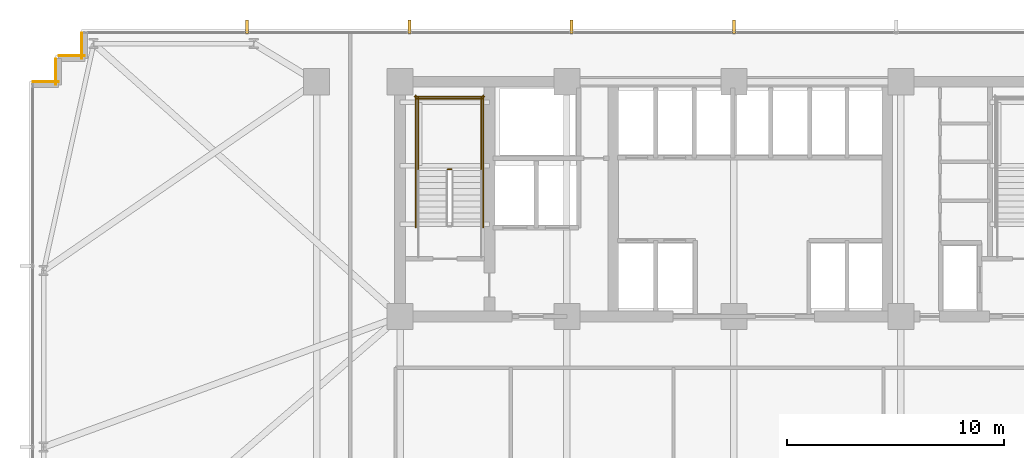
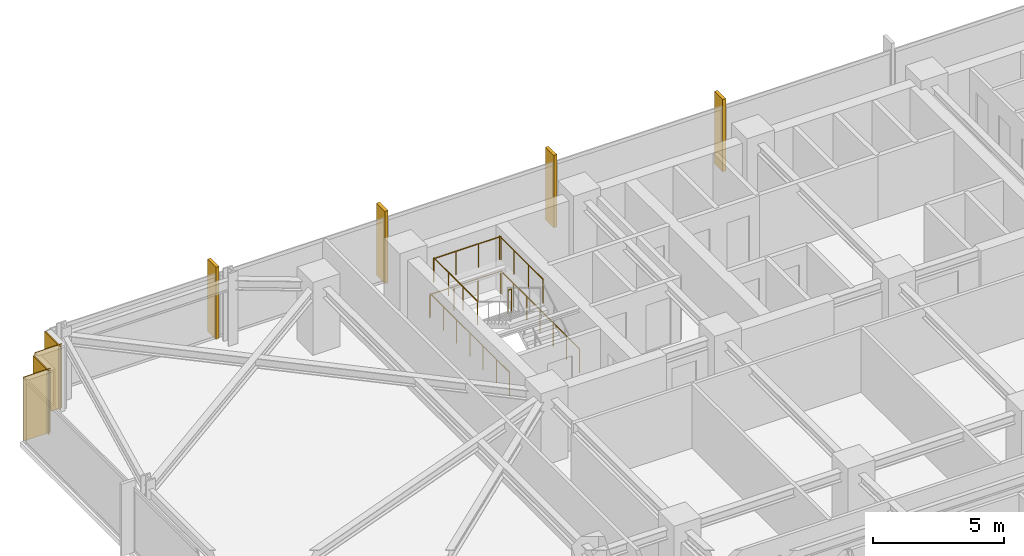
# One storey, part 30 of 32: 7 railings, 4 coverings, 4 shading devices.
"""IFC4 building model written with IfcOpenShell, lengths in metres."""

from ifc_helpers import new_model, si_unit, direction, frame, frame_2d, origin, origin_2d, place, context, subcontext, project, spatial, rectangle, circle, extrude, material, layer, layer_set, type_object, element, save


model = new_model("IFC4")

# Units and contexts
model_context = context("Model", 3, precision=1e-05, world=origin(), true_north=direction((0.0, 1.0)))
body_context = subcontext(model_context, "Body", "Model", "MODEL_VIEW")
ifc_project = project(units=[si_unit("LENGTHUNIT", "METRE"), si_unit("AREAUNIT", "SQUARE_METRE"), si_unit("VOLUMEUNIT", "CUBIC_METRE"), si_unit("PLANEANGLEUNIT", "RADIAN"), si_unit("MASSUNIT", "GRAM", prefix="KILO")], contexts=[model_context])

# Site, building, storey
site_placement = place(None, origin())
site = spatial("IfcSite", under=ifc_project, at=site_placement, CompositionType="ELEMENT")
building_placement = place(site_placement, origin())
building = spatial("IfcBuilding", under=site, at=building_placement, Name="Yelkora Congress Tower", CompositionType="ELEMENT")
storey_placement = place(building_placement, frame((0.0, 0.0, 74.60009765625)))
storey = spatial("IfcBuildingStorey", under=building, at=storey_placement, Name="L19", CompositionType="ELEMENT", Elevation=74.60009765625)

# Coverings
ifc_material_1 = material(Name="Anatolian bush-hammered limestone", Category="masonry")
ifc_layer_1 = layer(ifc_material_1, 0.0400390625)
ifc_layer_set_1 = layer_set([ifc_layer_1], Name="Anatolian bush-hammered limestone")
covering_type = type_object("IfcCoveringType", Name="COV-CLAD-SPANDREL-40", PredefinedType="CLADDING", material=ifc_layer_set_1)
covering_placement = place(storey_placement, frame((6.139892578125, 46.195068359375, 0.0), z_axis=(0.0, 0.0, 1.0), x_axis=(1.0, 0.0, 0.0)))
element("IfcCovering", 1, at=covering_placement, inside=storey, type_object=covering_type, Name="L19 Anatolian Limestone Cladding EW-L19-SR06", PredefinedType="CLADDING", context=body_context, shape_type="SweptSolid", body=[
    extrude(rectangle(XDim=1.2001953125, YDim=0.0400390625, at=frame_2d((0.60009765625, 0.0))), origin(), (0.0, 0.0, 1.0), 2.97998046875),
])
for number, where, z_axis, x_axis, name in (
    (2, (7.205078125, 46.06005859375, 0.0), (0.0, 0.0, 1.0), (0.0, 1.0, 0.0), "L19 Anatolian Limestone Cladding EW-L19-SR07"),
    (3, (7.340087890625, 47.39501953125, 0.0), (0.0, 0.0, 1.0), (1.0, 0.0, 0.0), "L19 Anatolian Limestone Cladding EW-L19-SR08"),
    (4, (8.405029296875, 47.260009765625, 0.0), (0.0, 0.0, 1.0), (0.0, 1.0, 0.0), "L19 Anatolian Limestone Cladding EW-L19-SR09"),
):
    element("IfcCovering", number, at=place(storey_placement, frame(where, z_axis=z_axis, x_axis=x_axis)), inside=storey, type_object=covering_type, Name=name, PredefinedType="CLADDING", context=body_context, shape_type="SweptSolid", body=[
        extrude(rectangle(XDim=1.199951171875, YDim=0.0400390625, at=frame_2d((0.60009765625, 0.0))), origin(), (0.0, 0.0, 1.0), 2.97998046875),
    ])

# Railings
ifc_material_2 = material(Name="Painted galvanised steel stair well guard with vertical infill", Category="steel")
ifc_layer_2 = layer(ifc_material_2, 0.06005859375)
ifc_layer_set_2 = layer_set([ifc_layer_2], Name="Painted galvanised steel stair well guard with vertical infill")
railing_type = type_object("IfcRailingType", Name="RAIL-STAIR-GUARD-1120", PredefinedType="GUARDRAIL", material=ifc_layer_set_2)
railing_1_placement = place(storey_placement, frame((25.39990234375, 42.169921875, 1.699951171875)))
element("IfcRailing", 5, at=railing_1_placement, inside=storey, type_object=railing_type, Name="ST-01 L19 Stair Well Guardrail 2", PredefinedType="GUARDRAIL", context=body_context, shape_type="SweptSolid", body=[
    extrude(circle(Radius=0.02392578125, at=origin_2d()), frame((0.0, 0.0, 1.09619140625), z_axis=(-1.0, 0.0, 0.0), x_axis=(0.0, -1.0, 0.0)), (0.0, 0.0, 1.0), 0.159912109375),
    extrude(circle(Radius=0.02099609375, at=origin_2d()), origin(), (0.0, 0.0, 1.0), 1.072021484375),
    extrude(circle(Radius=0.02099609375, at=origin_2d()), frame((-0.159912109375, 0.0, 0.0)), (0.0, 0.0, 1.0), 1.072021484375),
])
for number, where, name in (
    (6, (26.77001953125, 42.1201171875, 1.699951171875), "ST-01 L19 Stair Well Guardrail 3"),
    (7, (23.8701171875, 42.1201171875, 1.699951171875), "ST-01 L19 Stair Well Guardrail 4"),
):
    element("IfcRailing", number, at=place(storey_placement, frame(where)), inside=storey, type_object=railing_type, Name=name, PredefinedType="GUARDRAIL", context=body_context, shape_type="SweptSolid", body=[
        extrude(circle(Radius=0.02392578125, at=origin_2d()), frame((0.0, 0.0, 1.09619140625), z_axis=(0.0, 1.0, 0.0), x_axis=(-1.0, 0.0, 0.0)), (0.0, 0.0, 1.0), 3.349853515625),
        extrude(circle(Radius=0.02099609375, at=origin_2d()), origin(), (0.0, 0.0, 1.0), 1.072021484375),
        extrude(circle(Radius=0.02099609375, at=origin_2d()), frame((0.0, 1.11669921875, 0.0)), (0.0, 0.0, 1.0), 1.072021484375),
        extrude(circle(Radius=0.02099609375, at=origin_2d()), frame((0.0, 2.233154296875, 0.0)), (0.0, 0.0, 1.0), 1.072021484375),
        extrude(circle(Radius=0.02099609375, at=origin_2d()), frame((0.0, 3.349853515625, 0.0)), (0.0, 0.0, 1.0), 1.072021484375),
    ])
railing_2_placement = place(storey_placement, frame((26.820068359375, 45.419921875, 1.699951171875)))
element("IfcRailing", 8, at=railing_2_placement, inside=storey, type_object=railing_type, Name="ST-01 L19 Stair Well Guardrail 5", PredefinedType="GUARDRAIL", context=body_context, shape_type="SweptSolid", body=[
    extrude(circle(Radius=0.02392578125, at=origin_2d()), frame((0.0, 0.0, 1.09619140625), z_axis=(-1.0, 0.0, 0.0), x_axis=(0.0, -1.0, 0.0)), (0.0, 0.0, 1.0), 3.0),
    extrude(circle(Radius=0.02099609375, at=origin_2d()), origin(), (0.0, 0.0, 1.0), 1.072021484375),
    extrude(circle(Radius=0.02099609375, at=origin_2d()), frame((-1.0, 0.0, 0.0)), (0.0, 0.0, 1.0), 1.072021484375),
    extrude(circle(Radius=0.02099609375, at=origin_2d()), frame((-2.0, 0.0, 0.0)), (0.0, 0.0, 1.0), 1.072021484375),
    extrude(circle(Radius=0.02099609375, at=origin_2d()), frame((-3.0, 0.0, 0.0)), (0.0, 0.0, 1.0), 1.072021484375),
])
for number, where, name in (
    (9, (26.8701171875, 39.5, 0.0), "ST-01 L19 Stair Well Guardrail 10"),
    (10, (23.77001953125, 39.5, 0.0), "ST-01 L19 Stair Well Guardrail 11"),
):
    element("IfcRailing", number, at=place(storey_placement, frame(where)), inside=storey, type_object=railing_type, Name=name, PredefinedType="GUARDRAIL", context=body_context, shape_type="SweptSolid", body=[
        extrude(circle(Radius=0.02392578125, at=origin_2d()), frame((0.0, 0.0, 1.09619140625), z_axis=(0.0, 1.0, 0.0), x_axis=(-1.0, 0.0, 0.0)), (0.0, 0.0, 1.0), 6.070068359375),
        extrude(circle(Radius=0.02099609375, at=origin_2d()), origin(), (0.0, 0.0, 1.0), 1.072021484375),
        extrude(circle(Radius=0.02099609375, at=origin_2d()), frame((0.0, 1.01171875, 0.0)), (0.0, 0.0, 1.0), 1.072021484375),
        extrude(circle(Radius=0.02099609375, at=origin_2d()), frame((0.0, 2.0234375, 0.0)), (0.0, 0.0, 1.0), 1.072021484375),
        extrude(circle(Radius=0.02099609375, at=origin_2d()), frame((0.0, 3.03515625, 0.0)), (0.0, 0.0, 1.0), 1.072021484375),
        extrude(circle(Radius=0.02099609375, at=origin_2d()), frame((0.0, 4.046630859375, 0.0)), (0.0, 0.0, 1.0), 1.072021484375),
        extrude(circle(Radius=0.02099609375, at=origin_2d()), frame((0.0, 5.058349609375, 0.0)), (0.0, 0.0, 1.0), 1.072021484375),
        extrude(circle(Radius=0.02099609375, at=origin_2d()), frame((0.0, 6.070068359375, 0.0)), (0.0, 0.0, 1.0), 1.072021484375),
    ])
railing_3_placement = place(storey_placement, frame((26.919921875, 45.52001953125, 0.0)))
element("IfcRailing", 11, at=railing_3_placement, inside=storey, type_object=railing_type, Name="ST-01 L19 Stair Well Guardrail 12", PredefinedType="GUARDRAIL", context=body_context, shape_type="SweptSolid", body=[
    extrude(circle(Radius=0.02392578125, at=origin_2d()), frame((0.0, 0.0, 1.09619140625), z_axis=(-1.0, 0.0, 0.0), x_axis=(0.0, -1.0, 0.0)), (0.0, 0.0, 1.0), 3.199951171875),
    extrude(circle(Radius=0.02099609375, at=origin_2d()), origin(), (0.0, 0.0, 1.0), 1.072021484375),
    extrude(circle(Radius=0.02099609375, at=origin_2d()), frame((-1.066650390625, 0.0, 0.0)), (0.0, 0.0, 1.0), 1.072021484375),
    extrude(circle(Radius=0.02099609375, at=origin_2d()), frame((-2.13330078125, 0.0, 0.0)), (0.0, 0.0, 1.0), 1.072021484375),
    extrude(circle(Radius=0.02099609375, at=origin_2d()), frame((-3.199951171875, 0.0, 0.0)), (0.0, 0.0, 1.0), 1.072021484375),
])

# Shading devices
ifc_material_3 = material(Name="Champagne anodised aluminium", Category="aluminium")
ifc_layer_3 = layer(ifc_material_3, 3.39990234375)
ifc_layer_set_3 = layer_set([ifc_layer_3], Name="Champagne anodised aluminium")
shading_device_type = type_object("IfcShadingDeviceType", Name="SHD-FIN-ALU-640", PredefinedType="USERDEFINED", material=ifc_layer_set_3)
for number, where, z_axis, x_axis, name in (
    (12, (16.0048828125, 48.719970703125, -0.030029296875), (0.0, 0.0, 1.0), (1.0, 0.0, 0.0), "L19 Vertical Anodised Solar Fin 10-1"),
    (13, (23.469970703125, 48.719970703125, -0.030029296875), (0.0, 0.0, 1.0), (1.0, 0.0, 0.0), "L19 Vertical Anodised Solar Fin 10-2"),
    (14, (30.93505859375, 48.719970703125, -0.030029296875), (0.0, 0.0, 1.0), (1.0, 0.0, 0.0), "L19 Vertical Anodised Solar Fin 10-3"),
    (15, (38.39990234375, 48.719970703125, -0.030029296875), (0.0, 0.0, 1.0), (1.0, 0.0, 0.0), "L19 Vertical Anodised Solar Fin 10-4"),
):
    element("IfcShadingDevice", number, at=place(storey_placement, frame(where, z_axis=z_axis, x_axis=x_axis)), inside=storey, type_object=shading_device_type, Name=name, ObjectType="FIN", PredefinedType="USERDEFINED", context=body_context, shape_type="SweptSolid", body=[
        extrude(rectangle(XDim=0.139892578125, YDim=0.639892578125, at=origin_2d()), origin(), (0.0, 0.0, 1.0), 3.3798828125),
    ])

save(model, "model.ifc")
